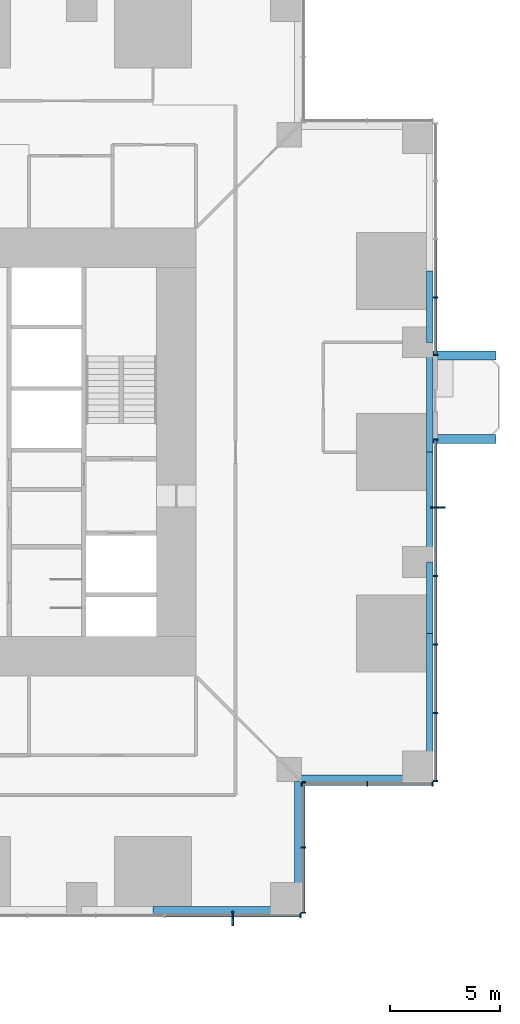
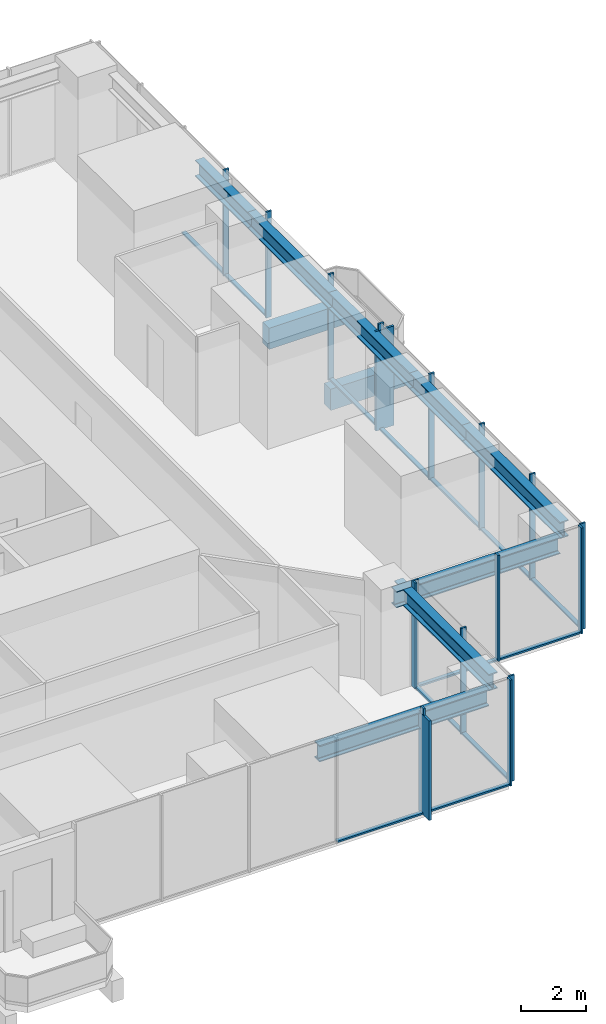
# One storey, part 4 of 17: 31 members, 10 beams, 5 elements without a shape of their own.
"""IFC4 building model written with IfcOpenShell, lengths in metres."""

import ifcopenshell
import ifcopenshell.guid

model = None  # the IFC model being written
_history = None  # IfcOwnerHistory: only IFC2X3 demands one
_inside = {}  # id of a spatial element -> (the spatial element, [elements in it])
_under = {}  # id of a project, library or spatial element -> (it, [spatial elements below it])
_declared = {}  # id of a project -> (the project, [libraries it declares])
_typed = {}  # id of a type object -> (the type object, [elements of that type])
_made_of = {}  # id of a material, layer set ... -> (it, [elements and type objects made of it])


def new_model(schema):
    """Start an empty IFC model of exactly this schema.

    Asked for "IFC4X3", IfcOpenShell would pick the latest addendum, in which some entities
    have other attributes; the version numbers below select the first issue.
    IFC2X3 requires an IfcOwnerHistory on every rooted entity: one is made here for all.
    """
    global model, _history
    if schema == "IFC4X3":
        model = ifcopenshell.file(schema_version=(4, 3, 0, 0))
    else:
        model = ifcopenshell.file(schema=schema)
    _inside.clear()
    _under.clear()
    _declared.clear()
    _typed.clear()
    _made_of.clear()
    _history = None
    if model.schema == "IFC2X3":
        org = make("IfcOrganization", Name="unknown")
        user = make(
            "IfcPersonAndOrganization",
            ThePerson=make("IfcPerson", FamilyName="unknown"),
            TheOrganization=org,
        )
        app = make(
            "IfcApplication",
            ApplicationDeveloper=org,
            Version="unknown",
            ApplicationFullName="unknown",
            ApplicationIdentifier="unknown",
        )
        _history = make(
            "IfcOwnerHistory",
            OwningUser=user,
            OwningApplication=app,
            ChangeAction="ADDED",
            CreationDate=0,
        )
    return model


def make(cls, **values):
    """One entity of the class cls with the attributes given. An attribute that is None is left unset."""
    return model.create_entity(
        cls, **{name: value for name, value in values.items() if value is not None}
    )


def rooted(cls, **values):
    """An entity with a GlobalId (a new one), such as an element, a storey or a relation."""
    return make(cls, GlobalId=ifcopenshell.guid.new(), OwnerHistory=_history, **values)


def si_unit(unit_type, name, prefix=None):
    """IfcSIUnit, for example si_unit("LENGTHUNIT", "METRE", prefix="MILLI")."""
    return make("IfcSIUnit", UnitType=unit_type, Prefix=prefix, Name=name)


def assignment(units):
    """IfcUnitAssignment: the units of a project."""
    return None if units is None else make("IfcUnitAssignment", Units=units)


def point(xyz):
    """IfcCartesianPoint."""
    return None if xyz is None else make("IfcCartesianPoint", Coordinates=xyz)


def direction(xyz):
    """IfcDirection."""
    return None if xyz is None else make("IfcDirection", DirectionRatios=xyz)


def frame(location, z_axis=None, x_axis=None):
    """IfcAxis2Placement3D, a coordinate frame: its origin and axes. An axis left out is left unset."""
    return make(
        "IfcAxis2Placement3D",
        Location=point(location),
        Axis=direction(z_axis),
        RefDirection=direction(x_axis),
    )


def frame_2d(location, x_axis=None):
    """IfcAxis2Placement2D, a coordinate frame in the plane: its origin and x axis."""
    return make(
        "IfcAxis2Placement2D", Location=point(location), RefDirection=direction(x_axis)
    )


def origin():
    """The frame at (0, 0, 0) with its axes left unset."""
    return frame((0.0, 0.0, 0.0))


def origin_2d():
    """The frame at (0, 0) in the plane with its x axis left unset."""
    return frame_2d((0.0, 0.0))


def place(relative_to, where):
    """IfcLocalPlacement: puts the frame where relative to a parent placement (None: the world)."""
    return make(
        "IfcLocalPlacement", PlacementRelTo=relative_to, RelativePlacement=where
    )


def context(
    kind, dimensions, precision=None, world=None, true_north=None, identifier=None
):
    """IfcGeometricRepresentationContext, for example the 3D "Model" context."""
    return make(
        "IfcGeometricRepresentationContext",
        ContextIdentifier=identifier,
        ContextType=kind,
        CoordinateSpaceDimension=dimensions,
        Precision=precision,
        WorldCoordinateSystem=world,
        TrueNorth=true_north,
    )


def subcontext(parent, identifier, kind, view, scale=None):
    """IfcGeometricRepresentationSubContext, for example "Body" below "Model"."""
    return make(
        "IfcGeometricRepresentationSubContext",
        ContextIdentifier=identifier,
        ContextType=kind,
        ParentContext=parent,
        TargetScale=scale,
        TargetView=view,
    )


def project(units=None, contexts=None):
    """IfcProject with its units and contexts."""
    return rooted(
        "IfcProject",
        Name="project",
        RepresentationContexts=contexts,
        UnitsInContext=assignment(units),
    )


def spatial(cls, under=None, at=None, **own):
    """A site, building, storey or space (cls), placed at a placement, below another one or the project."""
    s = rooted(cls, ObjectPlacement=at, **own)
    if under is not None:
        _under.setdefault(under.id(), (under, []))[1].append(s)
    return s


def profile(cls, at=None, kind="AREA", **sizes):
    """A parametric profile (cls). Its sizes go by their IFC names, for example OverallWidth=200.0."""
    return make(cls, ProfileType=kind, Position=at, **sizes)


def rectangle(**sizes):
    """IfcRectangleProfileDef."""
    return profile("IfcRectangleProfileDef", **sizes)


def i_section(**sizes):
    """IfcIShapeProfileDef."""
    return profile("IfcIShapeProfileDef", **sizes)


def extrude(swept, where, along, depth):
    """IfcExtrudedAreaSolid: the profile swept, set in the frame where, extruded along a direction by depth."""
    return make(
        "IfcExtrudedAreaSolid",
        SweptArea=swept,
        Position=where,
        ExtrudedDirection=direction(along),
        Depth=depth,
    )


def shape(context_of_items, identifier, shape_type, items):
    """IfcShapeRepresentation: the items that make up one representation, for example the "Body"."""
    return make(
        "IfcShapeRepresentation",
        ContextOfItems=context_of_items,
        RepresentationIdentifier=identifier,
        RepresentationType=shape_type,
        Items=items,
    )


def material(Name=None, Category=None):
    """IfcMaterial."""
    return make("IfcMaterial", Name=Name, Category=Category)


def material_profile(
    of_material, cross_section, Name=None, Category=None, Priority=None
):
    """IfcMaterialProfile: a cross section and its material."""
    return make(
        "IfcMaterialProfile",
        Name=Name,
        Material=of_material,
        Profile=cross_section,
        Priority=Priority,
        Category=Category,
    )


def profile_set(profiles, Name=None, composite=None):
    """IfcMaterialProfileSet."""
    return make(
        "IfcMaterialProfileSet",
        Name=Name,
        MaterialProfiles=profiles,
        CompositeProfile=composite,
    )


def made_of(thing, what):
    """Note that an element or type object is made of a material, layer set ...; save() writes the relation."""
    if what is not None:
        _made_of.setdefault(what.id(), (what, []))[1].append(thing)
    return thing


def type_object(cls, material=None, **own):
    """A type object (cls), such as IfcWallType, which elements share."""
    return made_of(rooted(cls, **own), material)


def element(
    cls,
    number,
    at=None,
    inside=None,
    cuts=None,
    type_object=None,
    material=None,
    context=None,
    identifier="Body",
    shape_type=None,
    held_by="IfcProductDefinitionShape",
    body=None,
    shapes=None,
    **own,
):
    """One element of the class cls, such as IfcWall. Its Tag is "e" and its number.

    at: its placement. inside: the storey or other place that contains it. cuts: it is an
    opening in that element (IfcRelVoidsElement). A single representation is given by context,
    identifier, shape_type and body (its items); several are given by shapes. held_by: the class
    of the entity that holds the representations. save() writes the other relations.
    """
    e = rooted(cls, Tag="e%d" % number, ObjectPlacement=at, **own)
    if body is not None:
        shapes = [shape(context, identifier, shape_type, body)]
    if shapes is not None:
        e.Representation = make(held_by, Representations=shapes)
    if inside is not None:
        _inside.setdefault(inside.id(), (inside, []))[1].append(e)
    if cuts is not None:
        rooted(
            "IfcRelVoidsElement", RelatingBuildingElement=cuts, RelatedOpeningElement=e
        )
    if type_object is not None:
        _typed.setdefault(type_object.id(), (type_object, []))[1].append(e)
    return made_of(e, material)


def aggregate(whole, parts):
    """IfcRelAggregates: a whole, such as a stair, and the parts it consists of."""
    return rooted("IfcRelAggregates", RelatingObject=whole, RelatedObjects=parts)


def save(model, path):
    """Write the relations noted so far, then the file.

    IfcRelAggregates (storeys below a building ...), IfcRelContainedInSpatialStructure (elements
    in a storey), IfcRelDefinesByType, IfcRelAssociatesMaterial and IfcRelDeclares: one each for
    every whole, place, type object, material and project.
    """
    for whole, parts in _under.values():
        aggregate(whole, parts)
    for where, things in _inside.values():
        rooted(
            "IfcRelContainedInSpatialStructure",
            RelatedElements=things,
            RelatingStructure=where,
        )
    for kind, things in _typed.values():
        rooted("IfcRelDefinesByType", RelatedObjects=things, RelatingType=kind)
    for what, things in _made_of.values():
        rooted("IfcRelAssociatesMaterial", RelatedObjects=things, RelatingMaterial=what)
    for by, libraries in _declared.values():
        rooted("IfcRelDeclares", RelatingContext=by, RelatedDefinitions=libraries)
    model.write(path)


model = new_model("IFC4")

# Units and contexts
model_context = context("Model", 3, precision=1e-05, world=origin(), true_north=direction((0.0, 1.0)))
body_context = subcontext(model_context, "Body", "Model", "MODEL_VIEW")
ifc_project = project(units=[si_unit("LENGTHUNIT", "METRE"), si_unit("AREAUNIT", "SQUARE_METRE"), si_unit("VOLUMEUNIT", "CUBIC_METRE"), si_unit("PLANEANGLEUNIT", "RADIAN"), si_unit("MASSUNIT", "GRAM", prefix="KILO")], contexts=[model_context])

# Site, building, storey
site_placement = place(None, origin())
site = spatial("IfcSite", under=ifc_project, at=site_placement, CompositionType="ELEMENT")
building_placement = place(site_placement, origin())
building = spatial("IfcBuilding", under=site, at=building_placement, Name="Svetlomir Tower", CompositionType="ELEMENT")
storey_placement = place(building_placement, frame((0.0, 0.0, 30.5)))
storey = spatial("IfcBuildingStorey", under=building, at=storey_placement, Name="L06", CompositionType="ELEMENT", Elevation=30.5)

# Beams
ifc_material_1 = material(Name="Concrete C60/75", Category="concrete")
ifc_material_profile_1 = material_profile(ifc_material_1, rectangle(XDim=0.39990234375, YDim=0.800048828125, at=origin_2d()), Name="RC 400x800")
ifc_profile_set_1 = profile_set([ifc_material_profile_1], Name="Concrete C60/75")
beam_type_1 = type_object("IfcBeamType", Name="BALCONY RIB RC 400x800", PredefinedType="BEAM", material=ifc_profile_set_1)
for number, where, z_axis, x_axis, name in (
    (1, (42.0, 21.60009765625, -0.64990234375), (1.0, 0.0, 0.0), (0.0, 1.0, 0.0), "Balcony rib E 1 L06"),
    (2, (42.0, 25.39990234375, -0.64990234375), (1.0, 0.0, 0.0), (0.0, 1.0, 0.0), "Balcony rib E 2 L06"),
):
    element("IfcBeam", number, at=place(storey_placement, frame(where, z_axis=z_axis, x_axis=x_axis)), inside=storey, type_object=beam_type_1, Name=name, PredefinedType="BEAM", context=body_context, shape_type="SweptSolid", body=[
        extrude(rectangle(XDim=0.39990234375, YDim=0.800048828125, at=origin_2d()), origin(), (0.0, 0.0, 1.0), 2.85009765625),
    ])

# Curtain wall, member
ifc_material_2 = material(Name="Bronze anodised aluminium curtain wall", Category="aluminium")
curtain_wall_type = type_object("IfcCurtainWallType", Name="CURTAIN WALL CW1 TOWER OFFICE", PredefinedType="NOTDEFINED", material=ifc_material_2)
curtain_wall_1_placement = place(storey_placement, origin())
curtain_wall_1 = element("IfcCurtainWall", 3, at=curtain_wall_1_placement, inside=storey, type_object=curtain_wall_type, Name="Curtain wall CW1 L06", PredefinedType="NOTDEFINED")
ifc_material_3 = material(Name="Bronze anodised aluminium", Category="aluminium")
ifc_material_profile_2 = material_profile(ifc_material_3, rectangle(XDim=0.080078125, YDim=0.64990234375, at=origin_2d()), Name="FIN 80x650")
ifc_profile_set_2 = profile_set([ifc_material_profile_2], Name="Bronze anodised aluminium 6063-T6")
member_type_1 = type_object("IfcMemberType", Name="BRONZE FIN 80x650", PredefinedType="USERDEFINED", material=ifc_profile_set_2)
member_1_placement = place(storey_placement, frame((32.8798828125, -0.22509765625, 0.0), z_axis=(0.0, 0.0, 1.0), x_axis=(1.0, 0.0, 0.0)))
member_1 = element("IfcMember", 4, at=member_1_placement, type_object=member_type_1, Name="Bronze fin L06", ObjectType="FIN", PredefinedType="USERDEFINED", context=body_context, shape_type="SweptSolid", body=[
    extrude(rectangle(XDim=0.080078125, YDim=0.64990234375, at=origin_2d()), origin(), (0.0, 0.0, 1.0), 3.75),
])

curtain_wall_2_placement = place(storey_placement, origin())
curtain_wall_2 = element("IfcCurtainWall", 5, at=curtain_wall_2_placement, inside=storey, type_object=curtain_wall_type, Name="Curtain wall CW1 L06", PredefinedType="NOTDEFINED")
member_2_placement = place(storey_placement, frame((42.22509765625, 18.47998046875, 0.0), z_axis=(0.0, 0.0, 1.0), x_axis=(0.0, 1.0, 0.0)))
member_2 = element("IfcMember", 6, at=member_2_placement, type_object=member_type_1, Name="Bronze fin L06", ObjectType="FIN", PredefinedType="USERDEFINED", context=body_context, shape_type="SweptSolid", body=[
    extrude(rectangle(XDim=0.080078125, YDim=0.64990234375, at=origin_2d()), origin(), (0.0, 0.0, 1.0), 3.75),
])

# Member
ifc_material_4 = material(Name="Bronze anodised aluminium", Category="aluminium")
ifc_material_profile_3 = material_profile(ifc_material_4, rectangle(XDim=0.06494140625, YDim=0.199951171875, at=origin_2d()), Name="AL 65x200")
ifc_profile_set_3 = profile_set([ifc_material_profile_3], Name="Bronze anodised aluminium 6063-T6")
member_type_2 = type_object("IfcMemberType", Name="CW1 MULLION 65x200", PredefinedType="MULLION", material=ifc_profile_set_3)
member_3_placement = place(storey_placement, frame((32.8798828125, -0.10009765625, 0.0), z_axis=(0.0, 0.0, 1.0), x_axis=(1.0, 0.0, 0.0)))
member_3 = element("IfcMember", 7, at=member_3_placement, type_object=member_type_2, Name="CW1 mullion 5", PredefinedType="MULLION", context=body_context, shape_type="SweptSolid", body=[
    extrude(rectangle(XDim=0.06494140625, YDim=0.199951171875, at=origin_2d()), origin(), (0.0, 0.0, 1.0), 4.0),
])

member_4_placement = place(storey_placement, frame((35.967529296875, -0.10009765625, 0.0), z_axis=(0.0, 0.0, 1.0), x_axis=(1.0, 0.0, 0.0)))
member_4 = element("IfcMember", 8, at=member_4_placement, type_object=member_type_2, Name="CW1 mullion 6", PredefinedType="MULLION", context=body_context, shape_type="SweptSolid", body=[
    extrude(rectangle(XDim=0.06494140625, YDim=0.199951171875, at=origin_2d()), origin(), (0.0, 0.0, 1.0), 4.0),
])

# Curtain wall, members
curtain_wall_3_placement = place(storey_placement, origin())
curtain_wall_3 = element("IfcCurtainWall", 9, at=curtain_wall_3_placement, inside=storey, type_object=curtain_wall_type, Name="Curtain wall CW1 L06", PredefinedType="NOTDEFINED")
member_5_placement = place(storey_placement, frame((36.10009765625, 0.032470703125, 0.0), z_axis=(0.0, 0.0, 1.0), x_axis=(0.0, 1.0, 0.0)))
member_5 = element("IfcMember", 10, at=member_5_placement, type_object=member_type_2, Name="CW1 mullion 1", PredefinedType="MULLION", context=body_context, shape_type="SweptSolid", body=[
    extrude(rectangle(XDim=0.06494140625, YDim=0.199951171875, at=origin_2d()), origin(), (0.0, 0.0, 1.0), 4.0),
])
member_6_placement = place(storey_placement, frame((36.10009765625, 3.0, 0.0), z_axis=(0.0, 0.0, 1.0), x_axis=(0.0, 1.0, 0.0)))
member_6 = element("IfcMember", 11, at=member_6_placement, type_object=member_type_2, Name="CW1 mullion 2", PredefinedType="MULLION", context=body_context, shape_type="SweptSolid", body=[
    extrude(rectangle(XDim=0.06494140625, YDim=0.199951171875, at=origin_2d()), origin(), (0.0, 0.0, 1.0), 4.0),
])
member_7_placement = place(storey_placement, frame((36.10009765625, 5.967529296875, 0.0), z_axis=(0.0, 0.0, 1.0), x_axis=(0.0, 1.0, 0.0)))
member_7 = element("IfcMember", 12, at=member_7_placement, type_object=member_type_2, Name="CW1 mullion 3", PredefinedType="MULLION", context=body_context, shape_type="SweptSolid", body=[
    extrude(rectangle(XDim=0.06494140625, YDim=0.199951171875, at=origin_2d()), origin(), (0.0, 0.0, 1.0), 4.0),
])

curtain_wall_4_placement = place(storey_placement, origin())
curtain_wall_4 = element("IfcCurtainWall", 13, at=curtain_wall_4_placement, inside=storey, type_object=curtain_wall_type, Name="Curtain wall CW1 L06", PredefinedType="NOTDEFINED")
member_8_placement = place(storey_placement, frame((36.032470703125, 5.89990234375, 0.0), z_axis=(0.0, 0.0, 1.0), x_axis=(1.0, 0.0, 0.0)))
member_8 = element("IfcMember", 14, at=member_8_placement, type_object=member_type_2, Name="CW1 mullion 1", PredefinedType="MULLION", context=body_context, shape_type="SweptSolid", body=[
    extrude(rectangle(XDim=0.06494140625, YDim=0.199951171875, at=origin_2d()), origin(), (0.0, 0.0, 1.0), 4.0),
])
member_9_placement = place(storey_placement, frame((39.0, 5.89990234375, 0.0), z_axis=(0.0, 0.0, 1.0), x_axis=(1.0, 0.0, 0.0)))
member_9 = element("IfcMember", 15, at=member_9_placement, type_object=member_type_2, Name="CW1 mullion 2", PredefinedType="MULLION", context=body_context, shape_type="SweptSolid", body=[
    extrude(rectangle(XDim=0.06494140625, YDim=0.199951171875, at=origin_2d()), origin(), (0.0, 0.0, 1.0), 4.0),
])
member_10_placement = place(storey_placement, frame((41.967529296875, 5.89990234375, 0.0), z_axis=(0.0, 0.0, 1.0), x_axis=(1.0, 0.0, 0.0)))
member_10 = element("IfcMember", 16, at=member_10_placement, type_object=member_type_2, Name="CW1 mullion 3", PredefinedType="MULLION", context=body_context, shape_type="SweptSolid", body=[
    extrude(rectangle(XDim=0.06494140625, YDim=0.199951171875, at=origin_2d()), origin(), (0.0, 0.0, 1.0), 4.0),
])

# Member
member_11_placement = place(storey_placement, frame((42.10009765625, 6.032470703125, 0.0), z_axis=(0.0, 0.0, 1.0), x_axis=(0.0, 1.0, 0.0)))
member_11 = element("IfcMember", 17, at=member_11_placement, type_object=member_type_2, Name="CW1 mullion 1", PredefinedType="MULLION", context=body_context, shape_type="SweptSolid", body=[
    extrude(rectangle(XDim=0.06494140625, YDim=0.199951171875, at=origin_2d()), origin(), (0.0, 0.0, 1.0), 4.0),
])

member_12_placement = place(storey_placement, frame((42.10009765625, 9.1201171875, 0.0), z_axis=(0.0, 0.0, 1.0), x_axis=(0.0, 1.0, 0.0)))
member_12 = element("IfcMember", 18, at=member_12_placement, type_object=member_type_2, Name="CW1 mullion 2", PredefinedType="MULLION", context=body_context, shape_type="SweptSolid", body=[
    extrude(rectangle(XDim=0.06494140625, YDim=0.199951171875, at=origin_2d()), origin(), (0.0, 0.0, 1.0), 4.0),
])

member_13_placement = place(storey_placement, frame((42.10009765625, 12.239990234375, 0.0), z_axis=(0.0, 0.0, 1.0), x_axis=(0.0, 1.0, 0.0)))
member_13 = element("IfcMember", 19, at=member_13_placement, type_object=member_type_2, Name="CW1 mullion 3", PredefinedType="MULLION", context=body_context, shape_type="SweptSolid", body=[
    extrude(rectangle(XDim=0.06494140625, YDim=0.199951171875, at=origin_2d()), origin(), (0.0, 0.0, 1.0), 4.0),
])

member_14_placement = place(storey_placement, frame((42.10009765625, 15.360107421875, 0.0), z_axis=(0.0, 0.0, 1.0), x_axis=(0.0, 1.0, 0.0)))
member_14 = element("IfcMember", 20, at=member_14_placement, type_object=member_type_2, Name="CW1 mullion 4", PredefinedType="MULLION", context=body_context, shape_type="SweptSolid", body=[
    extrude(rectangle(XDim=0.06494140625, YDim=0.199951171875, at=origin_2d()), origin(), (0.0, 0.0, 1.0), 4.0),
])

member_15_placement = place(storey_placement, frame((42.10009765625, 18.47998046875, 0.0), z_axis=(0.0, 0.0, 1.0), x_axis=(0.0, 1.0, 0.0)))
member_15 = element("IfcMember", 21, at=member_15_placement, type_object=member_type_2, Name="CW1 mullion 5", PredefinedType="MULLION", context=body_context, shape_type="SweptSolid", body=[
    extrude(rectangle(XDim=0.06494140625, YDim=0.199951171875, at=origin_2d()), origin(), (0.0, 0.0, 1.0), 4.0),
])

member_16_placement = place(storey_placement, frame((42.10009765625, 21.5673828125, 0.0), z_axis=(0.0, 0.0, 1.0), x_axis=(0.0, 1.0, 0.0)))
member_16 = element("IfcMember", 22, at=member_16_placement, type_object=member_type_2, Name="CW1 mullion 6", PredefinedType="MULLION", context=body_context, shape_type="SweptSolid", body=[
    extrude(rectangle(XDim=0.06494140625, YDim=0.199951171875, at=origin_2d()), origin(), (0.0, 0.0, 1.0), 4.0),
])

# Curtain wall, members
curtain_wall_5_placement = place(storey_placement, origin())
curtain_wall_5 = element("IfcCurtainWall", 23, at=curtain_wall_5_placement, inside=storey, type_object=curtain_wall_type, Name="Curtain wall CW1 L06", PredefinedType="NOTDEFINED")
member_17_placement = place(storey_placement, frame((42.10009765625, 25.4326171875, 0.0), z_axis=(0.0, 0.0, 1.0), x_axis=(0.0, 1.0, 0.0)))
member_17 = element("IfcMember", 24, at=member_17_placement, type_object=member_type_2, Name="CW1 mullion 1", PredefinedType="MULLION", context=body_context, shape_type="SweptSolid", body=[
    extrude(rectangle(XDim=0.06494140625, YDim=0.199951171875, at=origin_2d()), origin(), (0.0, 0.0, 1.0), 4.0),
])
member_18_placement = place(storey_placement, frame((42.10009765625, 28.050048828125, 0.0), z_axis=(0.0, 0.0, 1.0), x_axis=(0.0, 1.0, 0.0)))
member_18 = element("IfcMember", 25, at=member_18_placement, type_object=member_type_2, Name="CW1 mullion 2", PredefinedType="MULLION", context=body_context, shape_type="SweptSolid", body=[
    extrude(rectangle(XDim=0.06494140625, YDim=0.199951171875, at=origin_2d()), origin(), (0.0, 0.0, 1.0), 4.0),
])

# Member
ifc_material_5 = material(Name="Bronze anodised aluminium", Category="aluminium")
ifc_material_profile_4 = material_profile(ifc_material_5, rectangle(XDim=0.139892578125, YDim=0.06494140625, at=origin_2d()), Name="AL 140x65")
ifc_profile_set_4 = profile_set([ifc_material_profile_4], Name="Bronze anodised aluminium 6063-T6")
member_type_3 = type_object("IfcMemberType", Name="CW1 TRANSOM 65x140", PredefinedType="USERDEFINED", material=ifc_profile_set_4)
member_19_placement = place(storey_placement, frame((29.79248046875, -0.10009765625, 0.032470703125), z_axis=(1.0, 0.0, 0.0), x_axis=(0.0, 1.0, 0.0)))
member_19 = element("IfcMember", 26, at=member_19_placement, type_object=member_type_3, Name="CW1 transom 4.1", ObjectType="TRANSOM", PredefinedType="USERDEFINED", context=body_context, shape_type="SweptSolid", body=[
    extrude(rectangle(XDim=0.139892578125, YDim=0.06494140625, at=origin_2d()), origin(), (0.0, 0.0, 1.0), 3.054931640625),
])

member_20_placement = place(storey_placement, frame((32.91259765625, -0.10009765625, 0.032470703125), z_axis=(1.0, 0.0, 0.0), x_axis=(0.0, 1.0, 0.0)))
member_20 = element("IfcMember", 27, at=member_20_placement, type_object=member_type_3, Name="CW1 transom 5.1", ObjectType="TRANSOM", PredefinedType="USERDEFINED", context=body_context, shape_type="SweptSolid", body=[
    extrude(rectangle(XDim=0.139892578125, YDim=0.06494140625, at=origin_2d()), origin(), (0.0, 0.0, 1.0), 3.0224609375),
])

aggregate(curtain_wall_1, [member_3, member_4, member_19, member_20, member_1])

member_21_placement = place(storey_placement, frame((36.10009765625, 0.06494140625, 0.032470703125), z_axis=(0.0, 1.0, 0.0), x_axis=(-1.0, 0.0, 0.0)))
member_21 = element("IfcMember", 28, at=member_21_placement, type_object=member_type_3, Name="CW1 transom 1.1", ObjectType="TRANSOM", PredefinedType="USERDEFINED", context=body_context, shape_type="SweptSolid", body=[
    extrude(rectangle(XDim=0.139892578125, YDim=0.06494140625, at=origin_2d()), origin(), (0.0, 0.0, 1.0), 2.902587890625),
])

member_22_placement = place(storey_placement, frame((36.10009765625, 3.032470703125, 0.032470703125), z_axis=(0.0, 1.0, 0.0), x_axis=(-1.0, 0.0, 0.0)))
member_22 = element("IfcMember", 29, at=member_22_placement, type_object=member_type_3, Name="CW1 transom 2.1", ObjectType="TRANSOM", PredefinedType="USERDEFINED", context=body_context, shape_type="SweptSolid", body=[
    extrude(rectangle(XDim=0.139892578125, YDim=0.06494140625, at=origin_2d()), origin(), (0.0, 0.0, 1.0), 2.902587890625),
])

aggregate(curtain_wall_3, [member_5, member_6, member_7, member_21, member_22])

member_23_placement = place(storey_placement, frame((36.06494140625, 5.89990234375, 0.032470703125), z_axis=(1.0, 0.0, 0.0), x_axis=(0.0, 1.0, 0.0)))
member_23 = element("IfcMember", 30, at=member_23_placement, type_object=member_type_3, Name="CW1 transom 1.1", ObjectType="TRANSOM", PredefinedType="USERDEFINED", context=body_context, shape_type="SweptSolid", body=[
    extrude(rectangle(XDim=0.139892578125, YDim=0.06494140625, at=origin_2d()), origin(), (0.0, 0.0, 1.0), 2.902587890625),
])

member_24_placement = place(storey_placement, frame((39.032470703125, 5.89990234375, 0.032470703125), z_axis=(1.0, 0.0, 0.0), x_axis=(0.0, 1.0, 0.0)))
member_24 = element("IfcMember", 31, at=member_24_placement, type_object=member_type_3, Name="CW1 transom 2.1", ObjectType="TRANSOM", PredefinedType="USERDEFINED", context=body_context, shape_type="SweptSolid", body=[
    extrude(rectangle(XDim=0.139892578125, YDim=0.06494140625, at=origin_2d()), origin(), (0.0, 0.0, 1.0), 2.902587890625),
])

aggregate(curtain_wall_4, [member_8, member_9, member_10, member_23, member_24])

member_25_placement = place(storey_placement, frame((42.10009765625, 6.06494140625, 0.032470703125), z_axis=(0.0, 1.0, 0.0), x_axis=(-1.0, 0.0, 0.0)))
member_25 = element("IfcMember", 32, at=member_25_placement, type_object=member_type_3, Name="CW1 transom 1.1", ObjectType="TRANSOM", PredefinedType="USERDEFINED", context=body_context, shape_type="SweptSolid", body=[
    extrude(rectangle(XDim=0.139892578125, YDim=0.06494140625, at=origin_2d()), origin(), (0.0, 0.0, 1.0), 3.0224609375),
])

member_26_placement = place(storey_placement, frame((42.10009765625, 9.152587890625, 0.032470703125), z_axis=(0.0, 1.0, 0.0), x_axis=(-1.0, 0.0, 0.0)))
member_26 = element("IfcMember", 33, at=member_26_placement, type_object=member_type_3, Name="CW1 transom 2.1", ObjectType="TRANSOM", PredefinedType="USERDEFINED", context=body_context, shape_type="SweptSolid", body=[
    extrude(rectangle(XDim=0.139892578125, YDim=0.06494140625, at=origin_2d()), origin(), (0.0, 0.0, 1.0), 3.054931640625),
])

member_27_placement = place(storey_placement, frame((42.10009765625, 12.2724609375, 0.032470703125), z_axis=(0.0, 1.0, 0.0), x_axis=(-1.0, 0.0, 0.0)))
member_27 = element("IfcMember", 34, at=member_27_placement, type_object=member_type_3, Name="CW1 transom 3.1", ObjectType="TRANSOM", PredefinedType="USERDEFINED", context=body_context, shape_type="SweptSolid", body=[
    extrude(rectangle(XDim=0.139892578125, YDim=0.06494140625, at=origin_2d()), origin(), (0.0, 0.0, 1.0), 3.054931640625),
])

member_28_placement = place(storey_placement, frame((42.10009765625, 15.392578125, 0.032470703125), z_axis=(0.0, 1.0, 0.0), x_axis=(-1.0, 0.0, 0.0)))
member_28 = element("IfcMember", 35, at=member_28_placement, type_object=member_type_3, Name="CW1 transom 4.1", ObjectType="TRANSOM", PredefinedType="USERDEFINED", context=body_context, shape_type="SweptSolid", body=[
    extrude(rectangle(XDim=0.139892578125, YDim=0.06494140625, at=origin_2d()), origin(), (0.0, 0.0, 1.0), 3.054931640625),
])

member_29_placement = place(storey_placement, frame((42.10009765625, 18.512451171875, 0.032470703125), z_axis=(0.0, 1.0, 0.0), x_axis=(-1.0, 0.0, 0.0)))
member_29 = element("IfcMember", 36, at=member_29_placement, type_object=member_type_3, Name="CW1 transom 5.1", ObjectType="TRANSOM", PredefinedType="USERDEFINED", context=body_context, shape_type="SweptSolid", body=[
    extrude(rectangle(XDim=0.139892578125, YDim=0.06494140625, at=origin_2d()), origin(), (0.0, 0.0, 1.0), 3.0224609375),
])

aggregate(curtain_wall_2, [member_11, member_12, member_13, member_14, member_15, member_16, member_25, member_26, member_27, member_28, member_29, member_2])

member_30_placement = place(storey_placement, frame((42.10009765625, 25.465087890625, 0.032470703125), z_axis=(0.0, 1.0, 0.0), x_axis=(-1.0, 0.0, 0.0)))
member_30 = element("IfcMember", 37, at=member_30_placement, type_object=member_type_3, Name="CW1 transom 1.1", ObjectType="TRANSOM", PredefinedType="USERDEFINED", context=body_context, shape_type="SweptSolid", body=[
    extrude(rectangle(XDim=0.139892578125, YDim=0.06494140625, at=origin_2d()), origin(), (0.0, 0.0, 1.0), 2.552490234375),
])

member_31_placement = place(storey_placement, frame((42.10009765625, 28.08251953125, 0.032470703125), z_axis=(0.0, 1.0, 0.0), x_axis=(-1.0, 0.0, 0.0)))
member_31 = element("IfcMember", 38, at=member_31_placement, type_object=member_type_3, Name="CW1 transom 2.1", ObjectType="TRANSOM", PredefinedType="USERDEFINED", context=body_context, shape_type="SweptSolid", body=[
    extrude(rectangle(XDim=0.139892578125, YDim=0.06494140625, at=origin_2d()), origin(), (0.0, 0.0, 1.0), 2.5849609375),
])

aggregate(curtain_wall_5, [member_17, member_18, member_30, member_31])

# Beams
ifc_material_6 = material(Name="Steel S355", Category="steel")
ifc_material_profile_5 = material_profile(ifc_material_6, i_section(OverallWidth=0.304931640625, OverallDepth=0.6201171875, WebThickness=0.02099609375, FlangeThickness=0.0400390625, FilletRadius=0.027099609375, at=origin_2d()), Name="HEM 600")
ifc_profile_set_5 = profile_set([ifc_material_profile_5], Name="Steel S355")
beam_type_2 = type_object("IfcBeamType", Name="EDGE BEAM HEM 600", PredefinedType="SPANDREL", material=ifc_profile_set_5)
beam_1_placement = place(storey_placement, frame((41.847412109375, 6.699951171875, 3.43994140625), z_axis=(0.0, 1.0, 0.0), x_axis=(-1.0, 0.0, 0.0)))
element("IfcBeam", 39, at=beam_1_placement, inside=storey, type_object=beam_type_2, Name="Edge beam 42/6 to 42/11 under L07", PredefinedType="SPANDREL", context=body_context, shape_type="SweptSolid", body=[
    extrude(i_section(OverallWidth=0.304931640625, OverallDepth=0.6201171875, WebThickness=0.02099609375, FlangeThickness=0.0400390625, FilletRadius=0.027099609375, at=origin_2d()), origin(), (0.0, 0.0, 1.0), 6.050048828125),
])
beam_2_placement = place(storey_placement, frame((41.847412109375, 12.75, 3.43994140625), z_axis=(0.0, 1.0, 0.0), x_axis=(-1.0, 0.0, 0.0)))
element("IfcBeam", 40, at=beam_2_placement, inside=storey, type_object=beam_type_2, Name="Edge beam 42/11 to 42/16 under L07", PredefinedType="SPANDREL", context=body_context, shape_type="SweptSolid", body=[
    extrude(i_section(OverallWidth=0.304931640625, OverallDepth=0.6201171875, WebThickness=0.02099609375, FlangeThickness=0.0400390625, FilletRadius=0.027099609375, at=origin_2d()), origin(), (0.0, 0.0, 1.0), 3.25),
])
for number, where, z_axis, x_axis, name in (
    (41, (41.847412109375, 16.0, 3.43994140625), (0.0, 1.0, 0.0), (-1.0, 0.0, 0.0), "Edge beam 42/16 to 42/21 under L07"),
    (42, (41.847412109375, 21.0, 3.43994140625), (0.0, 1.0, 0.0), (-1.0, 0.0, 0.0), "Edge beam 42/21 to 42/26 under L07"),
):
    element("IfcBeam", number, at=place(storey_placement, frame(where, z_axis=z_axis, x_axis=x_axis)), inside=storey, type_object=beam_type_2, Name=name, PredefinedType="SPANDREL", context=body_context, shape_type="SweptSolid", body=[
        extrude(i_section(OverallWidth=0.304931640625, OverallDepth=0.6201171875, WebThickness=0.02099609375, FlangeThickness=0.0400390625, FilletRadius=0.027099609375, at=origin_2d()), origin(), (0.0, 0.0, 1.0), 5.0),
    ])
beam_3_placement = place(storey_placement, frame((41.847412109375, 26.0, 3.43994140625), z_axis=(0.0, 1.0, 0.0), x_axis=(-1.0, 0.0, 0.0)))
element("IfcBeam", 43, at=beam_3_placement, inside=storey, type_object=beam_type_2, Name="Edge beam 42/26 to 42/31 under L07", PredefinedType="SPANDREL", context=body_context, shape_type="SweptSolid", body=[
    extrude(i_section(OverallWidth=0.304931640625, OverallDepth=0.6201171875, WebThickness=0.02099609375, FlangeThickness=0.0400390625, FilletRadius=0.027099609375, at=origin_2d()), origin(), (0.0, 0.0, 1.0), 3.25),
])
beam_4_placement = place(storey_placement, frame((29.25, 0.152587890625, 3.43994140625), z_axis=(1.0, 0.0, 0.0), x_axis=(0.0, 1.0, 0.0)))
element("IfcBeam", 44, at=beam_4_placement, inside=storey, type_object=beam_type_2, Name="Edge beam 31/0 to 36/0 under L07", PredefinedType="SPANDREL", context=body_context, shape_type="SweptSolid", body=[
    extrude(i_section(OverallWidth=0.304931640625, OverallDepth=0.6201171875, WebThickness=0.02099609375, FlangeThickness=0.0400390625, FilletRadius=0.027099609375, at=origin_2d()), origin(), (0.0, 0.0, 1.0), 6.050048828125),
])
for number, where, z_axis, x_axis, name in (
    (45, (35.847412109375, 0.699951171875, 3.43994140625), (0.0, 1.0, 0.0), (-1.0, 0.0, 0.0), "Edge beam 36/0 to 36/6 under L07"),
    (46, (41.300048828125, 6.152587890625, 3.43994140625), (-1.0, 0.0, 0.0), (0.0, -1.0, 0.0), "Edge beam 42/6 to 36/6 under L07"),
):
    element("IfcBeam", number, at=place(storey_placement, frame(where, z_axis=z_axis, x_axis=x_axis)), inside=storey, type_object=beam_type_2, Name=name, PredefinedType="SPANDREL", context=body_context, shape_type="SweptSolid", body=[
        extrude(i_section(OverallWidth=0.304931640625, OverallDepth=0.6201171875, WebThickness=0.02099609375, FlangeThickness=0.0400390625, FilletRadius=0.027099609375, at=origin_2d()), origin(), (0.0, 0.0, 1.0), 5.85009765625),
    ])

save(model, "model.ifc")
